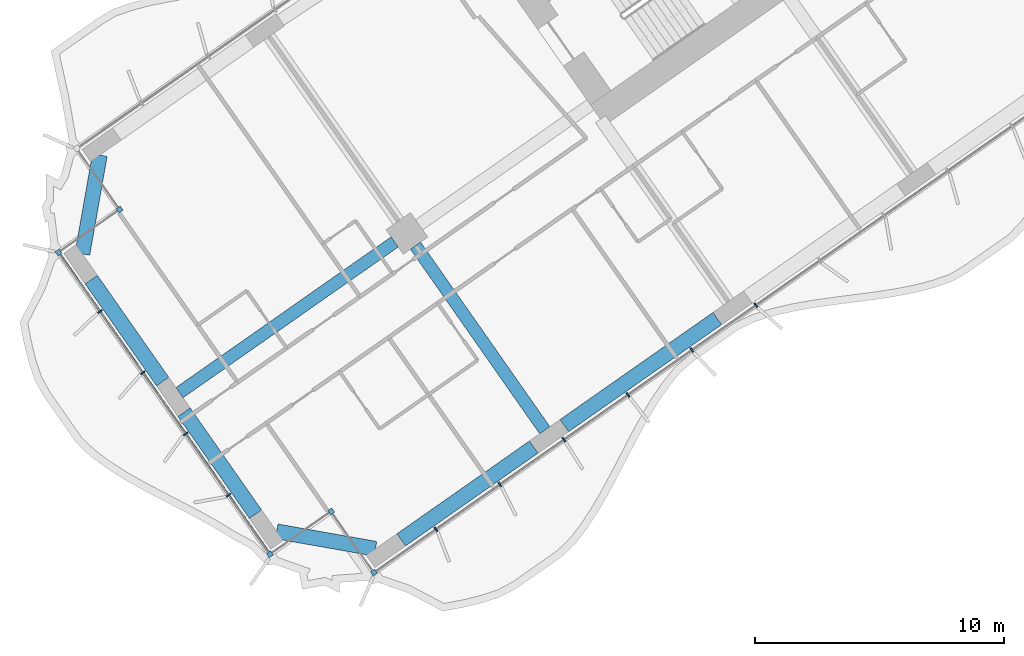
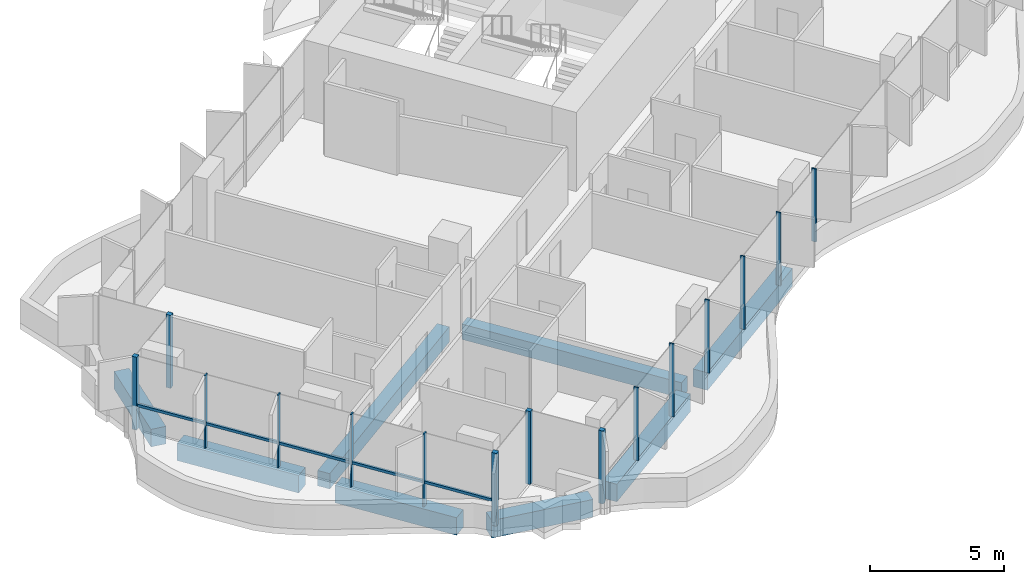
# One storey, part 2 of 24: 16 members, 8 beams, 1 element without a shape of its own.
"""IFC4 building model written with IfcOpenShell, lengths in metres."""

import ifcopenshell
import ifcopenshell.guid

model = None  # the IFC model being written
_history = None  # IfcOwnerHistory: only IFC2X3 demands one
_inside = {}  # id of a spatial element -> (the spatial element, [elements in it])
_under = {}  # id of a project, library or spatial element -> (it, [spatial elements below it])
_declared = {}  # id of a project -> (the project, [libraries it declares])
_typed = {}  # id of a type object -> (the type object, [elements of that type])
_made_of = {}  # id of a material, layer set ... -> (it, [elements and type objects made of it])


def new_model(schema):
    """Start an empty IFC model of exactly this schema.

    Asked for "IFC4X3", IfcOpenShell would pick the latest addendum, in which some entities
    have other attributes; the version numbers below select the first issue.
    IFC2X3 requires an IfcOwnerHistory on every rooted entity: one is made here for all.
    """
    global model, _history
    if schema == "IFC4X3":
        model = ifcopenshell.file(schema_version=(4, 3, 0, 0))
    else:
        model = ifcopenshell.file(schema=schema)
    _inside.clear()
    _under.clear()
    _declared.clear()
    _typed.clear()
    _made_of.clear()
    _history = None
    if model.schema == "IFC2X3":
        org = make("IfcOrganization", Name="unknown")
        user = make(
            "IfcPersonAndOrganization",
            ThePerson=make("IfcPerson", FamilyName="unknown"),
            TheOrganization=org,
        )
        app = make(
            "IfcApplication",
            ApplicationDeveloper=org,
            Version="unknown",
            ApplicationFullName="unknown",
            ApplicationIdentifier="unknown",
        )
        _history = make(
            "IfcOwnerHistory",
            OwningUser=user,
            OwningApplication=app,
            ChangeAction="ADDED",
            CreationDate=0,
        )
    return model


def make(cls, **values):
    """One entity of the class cls with the attributes given. An attribute that is None is left unset."""
    return model.create_entity(
        cls, **{name: value for name, value in values.items() if value is not None}
    )


def rooted(cls, **values):
    """An entity with a GlobalId (a new one), such as an element, a storey or a relation."""
    return make(cls, GlobalId=ifcopenshell.guid.new(), OwnerHistory=_history, **values)


def si_unit(unit_type, name, prefix=None):
    """IfcSIUnit, for example si_unit("LENGTHUNIT", "METRE", prefix="MILLI")."""
    return make("IfcSIUnit", UnitType=unit_type, Prefix=prefix, Name=name)


def assignment(units):
    """IfcUnitAssignment: the units of a project."""
    return None if units is None else make("IfcUnitAssignment", Units=units)


def point(xyz):
    """IfcCartesianPoint."""
    return None if xyz is None else make("IfcCartesianPoint", Coordinates=xyz)


def direction(xyz):
    """IfcDirection."""
    return None if xyz is None else make("IfcDirection", DirectionRatios=xyz)


def frame(location, z_axis=None, x_axis=None):
    """IfcAxis2Placement3D, a coordinate frame: its origin and axes. An axis left out is left unset."""
    return make(
        "IfcAxis2Placement3D",
        Location=point(location),
        Axis=direction(z_axis),
        RefDirection=direction(x_axis),
    )


def frame_2d(location, x_axis=None):
    """IfcAxis2Placement2D, a coordinate frame in the plane: its origin and x axis."""
    return make(
        "IfcAxis2Placement2D", Location=point(location), RefDirection=direction(x_axis)
    )


def origin():
    """The frame at (0, 0, 0) with its axes left unset."""
    return frame((0.0, 0.0, 0.0))


def origin_2d():
    """The frame at (0, 0) in the plane with its x axis left unset."""
    return frame_2d((0.0, 0.0))


def place(relative_to, where):
    """IfcLocalPlacement: puts the frame where relative to a parent placement (None: the world)."""
    return make(
        "IfcLocalPlacement", PlacementRelTo=relative_to, RelativePlacement=where
    )


def context(
    kind, dimensions, precision=None, world=None, true_north=None, identifier=None
):
    """IfcGeometricRepresentationContext, for example the 3D "Model" context."""
    return make(
        "IfcGeometricRepresentationContext",
        ContextIdentifier=identifier,
        ContextType=kind,
        CoordinateSpaceDimension=dimensions,
        Precision=precision,
        WorldCoordinateSystem=world,
        TrueNorth=true_north,
    )


def subcontext(parent, identifier, kind, view, scale=None):
    """IfcGeometricRepresentationSubContext, for example "Body" below "Model"."""
    return make(
        "IfcGeometricRepresentationSubContext",
        ContextIdentifier=identifier,
        ContextType=kind,
        ParentContext=parent,
        TargetScale=scale,
        TargetView=view,
    )


def project(units=None, contexts=None):
    """IfcProject with its units and contexts."""
    return rooted(
        "IfcProject",
        Name="project",
        RepresentationContexts=contexts,
        UnitsInContext=assignment(units),
    )


def spatial(cls, under=None, at=None, **own):
    """A site, building, storey or space (cls), placed at a placement, below another one or the project."""
    s = rooted(cls, ObjectPlacement=at, **own)
    if under is not None:
        _under.setdefault(under.id(), (under, []))[1].append(s)
    return s


def profile(cls, at=None, kind="AREA", **sizes):
    """A parametric profile (cls). Its sizes go by their IFC names, for example OverallWidth=200.0."""
    return make(cls, ProfileType=kind, Position=at, **sizes)


def rectangle(**sizes):
    """IfcRectangleProfileDef."""
    return profile("IfcRectangleProfileDef", **sizes)


def extrude(swept, where, along, depth):
    """IfcExtrudedAreaSolid: the profile swept, set in the frame where, extruded along a direction by depth."""
    return make(
        "IfcExtrudedAreaSolid",
        SweptArea=swept,
        Position=where,
        ExtrudedDirection=direction(along),
        Depth=depth,
    )


def shape(context_of_items, identifier, shape_type, items):
    """IfcShapeRepresentation: the items that make up one representation, for example the "Body"."""
    return make(
        "IfcShapeRepresentation",
        ContextOfItems=context_of_items,
        RepresentationIdentifier=identifier,
        RepresentationType=shape_type,
        Items=items,
    )


def material(Name=None, Category=None):
    """IfcMaterial."""
    return make("IfcMaterial", Name=Name, Category=Category)


def material_profile(
    of_material, cross_section, Name=None, Category=None, Priority=None
):
    """IfcMaterialProfile: a cross section and its material."""
    return make(
        "IfcMaterialProfile",
        Name=Name,
        Material=of_material,
        Profile=cross_section,
        Priority=Priority,
        Category=Category,
    )


def profile_set(profiles, Name=None, composite=None):
    """IfcMaterialProfileSet."""
    return make(
        "IfcMaterialProfileSet",
        Name=Name,
        MaterialProfiles=profiles,
        CompositeProfile=composite,
    )


def made_of(thing, what):
    """Note that an element or type object is made of a material, layer set ...; save() writes the relation."""
    if what is not None:
        _made_of.setdefault(what.id(), (what, []))[1].append(thing)
    return thing


def type_object(cls, material=None, **own):
    """A type object (cls), such as IfcWallType, which elements share."""
    return made_of(rooted(cls, **own), material)


def element(
    cls,
    number,
    at=None,
    inside=None,
    cuts=None,
    type_object=None,
    material=None,
    context=None,
    identifier="Body",
    shape_type=None,
    held_by="IfcProductDefinitionShape",
    body=None,
    shapes=None,
    **own,
):
    """One element of the class cls, such as IfcWall. Its Tag is "e" and its number.

    at: its placement. inside: the storey or other place that contains it. cuts: it is an
    opening in that element (IfcRelVoidsElement). A single representation is given by context,
    identifier, shape_type and body (its items); several are given by shapes. held_by: the class
    of the entity that holds the representations. save() writes the other relations.
    """
    e = rooted(cls, Tag="e%d" % number, ObjectPlacement=at, **own)
    if body is not None:
        shapes = [shape(context, identifier, shape_type, body)]
    if shapes is not None:
        e.Representation = make(held_by, Representations=shapes)
    if inside is not None:
        _inside.setdefault(inside.id(), (inside, []))[1].append(e)
    if cuts is not None:
        rooted(
            "IfcRelVoidsElement", RelatingBuildingElement=cuts, RelatedOpeningElement=e
        )
    if type_object is not None:
        _typed.setdefault(type_object.id(), (type_object, []))[1].append(e)
    return made_of(e, material)


def aggregate(whole, parts):
    """IfcRelAggregates: a whole, such as a stair, and the parts it consists of."""
    return rooted("IfcRelAggregates", RelatingObject=whole, RelatedObjects=parts)


def save(model, path):
    """Write the relations noted so far, then the file.

    IfcRelAggregates (storeys below a building ...), IfcRelContainedInSpatialStructure (elements
    in a storey), IfcRelDefinesByType, IfcRelAssociatesMaterial and IfcRelDeclares: one each for
    every whole, place, type object, material and project.
    """
    for whole, parts in _under.values():
        aggregate(whole, parts)
    for where, things in _inside.values():
        rooted(
            "IfcRelContainedInSpatialStructure",
            RelatedElements=things,
            RelatingStructure=where,
        )
    for kind, things in _typed.values():
        rooted("IfcRelDefinesByType", RelatedObjects=things, RelatingType=kind)
    for what, things in _made_of.values():
        rooted("IfcRelAssociatesMaterial", RelatedObjects=things, RelatingMaterial=what)
    for by, libraries in _declared.values():
        rooted("IfcRelDeclares", RelatingContext=by, RelatedDefinitions=libraries)
    model.write(path)


model = new_model("IFC4")

# Units and contexts
model_context = context("Model", 3, precision=1e-05, world=origin(), true_north=direction((0.0, 1.0)))
body_context = subcontext(model_context, "Body", "Model", "MODEL_VIEW")
ifc_project = project(units=[si_unit("LENGTHUNIT", "METRE"), si_unit("AREAUNIT", "SQUARE_METRE"), si_unit("VOLUMEUNIT", "CUBIC_METRE"), si_unit("PLANEANGLEUNIT", "RADIAN"), si_unit("MASSUNIT", "GRAM", prefix="KILO")], contexts=[model_context])

# Site, building, storey
site_placement = place(None, origin())
site = spatial("IfcSite", under=ifc_project, at=site_placement, CompositionType="ELEMENT")
building_placement = place(site_placement, origin())
building = spatial("IfcBuilding", under=site, at=building_placement, Name="Tel Ilan Convention Tower", CompositionType="ELEMENT")
storey_placement = place(building_placement, frame((0.0, 0.0, 68.89990234375)))
storey = spatial("IfcBuildingStorey", under=building, at=storey_placement, Name="L12", CompositionType="ELEMENT", Elevation=68.89990234375)

# Beams
ifc_material_1 = material(Name="Concrete C40/50", Category="concrete")
ifc_material_profile_1 = material_profile(ifc_material_1, rectangle(XDim=0.5, YDim=0.699951171875, at=origin_2d()), Name="RC 500x700")
ifc_profile_set_1 = profile_set([ifc_material_profile_1], Name="Concrete C40/50")
beam_type_1 = type_object("IfcBeamType", Name="Beam RC 500x700 Concrete C40/50", PredefinedType="BEAM", material=ifc_profile_set_1)
beam_1_placement = place(storey_placement, frame((-29.98095703125, -20.992919921875, -0.6298828125), z_axis=(-0.819151461915, -0.573577268067, 0.0), x_axis=(0.573577268067, -0.819151461915, 0.0)))
element("IfcBeam", 1, at=beam_1_placement, inside=storey, type_object=beam_type_1, Name="L12 beam W-W-M4-end", PredefinedType="BEAM", context=body_context, shape_type="SweptSolid", body=[
    extrude(rectangle(XDim=0.5, YDim=0.699951171875, at=origin_2d()), origin(), (0.0, 0.0, 1.0), 10.550048828125),
])
beam_2_placement = place(storey_placement, frame((-29.145263671875, -21.14013671875, -0.6298828125), z_axis=(0.573549245583, -0.819171082798, 0.0), x_axis=(0.819171082798, 0.573549245583, 0.0)))
element("IfcBeam", 2, at=beam_2_placement, inside=storey, type_object=beam_type_1, Name="L12 beam W-W-M4-W-F4", PredefinedType="BEAM", context=body_context, shape_type="SweptSolid", body=[
    extrude(rectangle(XDim=0.5, YDim=0.699951171875, at=origin_2d()), origin(), (0.0, 0.0, 1.0), 9.050048828125),
])
ifc_material_2 = material(Name="Concrete C40/50", Category="concrete")
ifc_material_profile_2 = material_profile(ifc_material_2, rectangle(XDim=0.60009765625, YDim=0.800048828125, at=origin_2d()), Name="RC 600x800")
ifc_profile_set_2 = profile_set([ifc_material_profile_2], Name="Concrete C40/50")
beam_type_2 = type_object("IfcBeamType", Name="Beam RC 600x800 Concrete C40/50", PredefinedType="BEAM", material=ifc_profile_set_2)
beam_3_placement = place(storey_placement, frame((-17.0244140625, -24.0673828125, -0.679931640625), z_axis=(-0.81915238829, -0.573575945067, 0.0), x_axis=(0.573575945067, -0.81915238829, 0.0)))
element("IfcBeam", 3, at=beam_3_placement, inside=storey, type_object=beam_type_2, Name="L12 beam W-W-F3-W-F4", PredefinedType="BEAM", context=body_context, shape_type="SweptSolid", body=[
    extrude(rectangle(XDim=0.60009765625, YDim=0.800048828125, at=origin_2d()), origin(), (0.0, 0.0, 1.0), 7.5),
])
beam_4_placement = place(storey_placement, frame((-24.396728515625, -29.2294921875, -0.679931640625), z_axis=(-0.819148977158, -0.573580816643, 0.0), x_axis=(0.573580816643, -0.819148977158, 0.0)))
element("IfcBeam", 4, at=beam_4_placement, inside=storey, type_object=beam_type_2, Name="L12 beam W-W-F4-W-FC", PredefinedType="BEAM", context=body_context, shape_type="SweptSolid", body=[
    extrude(rectangle(XDim=0.60009765625, YDim=0.800048828125, at=origin_2d()), origin(), (0.0, 0.0, 1.0), 6.5),
])
beam_5_placement = place(storey_placement, frame((-30.75341796875, -33.314208984375, -0.679931640625), z_axis=(-0.984815252405, 0.173605641124, 0.0), x_axis=(-0.173605641124, -0.984815252405, 0.0)))
element("IfcBeam", 5, at=beam_5_placement, inside=storey, type_object=beam_type_2, Name="L12 beam W-W-FC-W-E1", PredefinedType="BEAM", context=body_context, shape_type="SweptSolid", body=[
    extrude(rectangle(XDim=0.60009765625, YDim=0.800048828125, at=origin_2d()), origin(), (0.0, 0.0, 1.0), 4.030517578125),
])
for number, where, z_axis, x_axis, name in (
    (6, (-35.57080078125, -31.92626953125, -0.679931640625), (-0.573586866468, 0.819144740944, 0.0), (-0.819144740944, -0.573586866468, 0.0), "L12 beam W-W-E1-W-E2"),
    (7, (-39.298828125, -26.601806640625, -0.679931640625), (-0.573586866468, 0.819144740944, 0.0), (-0.819144740944, -0.573586866468, 0.0), "L12 beam W-W-E2-W-E3"),
):
    element("IfcBeam", number, at=place(storey_placement, frame(where, z_axis=z_axis, x_axis=x_axis)), inside=storey, type_object=beam_type_2, Name=name, PredefinedType="BEAM", context=body_context, shape_type="SweptSolid", body=[
        extrude(rectangle(XDim=0.60009765625, YDim=0.800048828125, at=origin_2d()), origin(), (0.0, 0.0, 1.0), 5.0),
    ])
beam_6_placement = place(storey_placement, frame((-42.523193359375, -21.473876953125, -0.679931640625), z_axis=(0.173605641124, 0.984815252405, 0.0), x_axis=(-0.984815252405, 0.173605641124, 0.0)))
element("IfcBeam", 8, at=beam_6_placement, inside=storey, type_object=beam_type_2, Name="L12 beam W-W-E3-W-BC", PredefinedType="BEAM", context=body_context, shape_type="SweptSolid", body=[
    extrude(rectangle(XDim=0.60009765625, YDim=0.800048828125, at=origin_2d()), origin(), (0.0, 0.0, 1.0), 4.030517578125),
])

# Curtain wall, members
ifc_material_3 = material(Name="Aluminium, bronze anodised", Category="aluminium")
curtain_wall_type = type_object("IfcCurtainWallType", Name="CW1 UNITISED CURTAIN WALL, HOTEL TINTED GLASS", PredefinedType="NOTDEFINED", material=ifc_material_3)
curtain_wall_placement = place(storey_placement, origin())
curtain_wall = element("IfcCurtainWall", 9, at=curtain_wall_placement, inside=storey, type_object=curtain_wall_type, Name="Curtain wall CW1-12.02", PredefinedType="NOTDEFINED")
ifc_material_4 = material(Name="Aluminium, bronze anodised", Category="aluminium")
ifc_material_profile_3 = material_profile(ifc_material_4, rectangle(XDim=0.199951171875, YDim=0.199951171875, at=origin_2d()), Name="CW CORNER MULLION 200x200")
ifc_profile_set_3 = profile_set([ifc_material_profile_3], Name="Aluminium, bronze anodised")
member_type_1 = type_object("IfcMemberType", Name="CW CORNER MULLION 200x200", PredefinedType="MULLION", material=ifc_profile_set_3)
member_1_placement = place(storey_placement, frame((-41.0244140625, -19.69189453125, 0.0), z_axis=(0.0, 0.0, 1.0), x_axis=(0.573576436351, -0.819152044289, 0.0)))
member_1 = element("IfcMember", 10, at=member_1_placement, type_object=member_type_1, Name="Corner mullion", PredefinedType="MULLION", context=body_context, shape_type="SweptSolid", body=[
    extrude(rectangle(XDim=0.199951171875, YDim=0.199951171875, at=origin_2d()), origin(), (0.0, 0.0, 1.0), 3.320068359375),
])
member_2_placement = place(storey_placement, frame((-43.48193359375, -21.41259765625, 0.0), z_axis=(0.0, 0.0, 1.0), x_axis=(-0.819152044289, -0.573576436351, 0.0)))
member_2 = element("IfcMember", 11, at=member_2_placement, type_object=member_type_1, Name="Corner mullion", PredefinedType="MULLION", context=body_context, shape_type="SweptSolid", body=[
    extrude(rectangle(XDim=0.199951171875, YDim=0.199951171875, at=origin_2d()), origin(), (0.0, 0.0, 1.0), 3.320068359375),
])
member_3_placement = place(storey_placement, frame((-34.992919921875, -33.5361328125, 0.0), z_axis=(0.0, 0.0, 1.0), x_axis=(0.573576436351, -0.819152044289, 0.0)))
member_3 = element("IfcMember", 12, at=member_3_placement, type_object=member_type_1, Name="Corner mullion", PredefinedType="MULLION", context=body_context, shape_type="SweptSolid", body=[
    extrude(rectangle(XDim=0.199951171875, YDim=0.199951171875, at=origin_2d()), origin(), (0.0, 0.0, 1.0), 3.320068359375),
])
member_4_placement = place(storey_placement, frame((-32.535400390625, -31.815185546875, 0.0), z_axis=(0.0, 0.0, 1.0), x_axis=(0.819152044289, 0.573576436351, 0.0)))
member_4 = element("IfcMember", 13, at=member_4_placement, type_object=member_type_1, Name="Corner mullion", PredefinedType="MULLION", context=body_context, shape_type="SweptSolid", body=[
    extrude(rectangle(XDim=0.199951171875, YDim=0.199951171875, at=origin_2d()), origin(), (0.0, 0.0, 1.0), 3.320068359375),
])
member_5_placement = place(storey_placement, frame((-30.814697265625, -34.272705078125, 0.0), z_axis=(0.0, 0.0, 1.0), x_axis=(0.573576436351, -0.819152044289, 0.0)))
member_5 = element("IfcMember", 14, at=member_5_placement, type_object=member_type_1, Name="Corner mullion", PredefinedType="MULLION", context=body_context, shape_type="SweptSolid", body=[
    extrude(rectangle(XDim=0.199951171875, YDim=0.199951171875, at=origin_2d()), origin(), (0.0, 0.0, 1.0), 3.320068359375),
])
ifc_material_5 = material(Name="Aluminium, bronze anodised", Category="aluminium")
ifc_material_profile_4 = material_profile(ifc_material_5, rectangle(XDim=0.06005859375, YDim=0.199951171875, at=origin_2d()), Name="CW MULLION 60x200")
ifc_profile_set_4 = profile_set([ifc_material_profile_4], Name="Aluminium, bronze anodised")
member_type_2 = type_object("IfcMemberType", Name="CW MULLION 60x200", PredefinedType="MULLION", material=ifc_profile_set_4)
member_6_placement = place(storey_placement, frame((-41.818359375, -23.7880859375, 0.0), z_axis=(0.0, 0.0, 1.0), x_axis=(0.573576436351, -0.819152044289, 0.0)))
member_6 = element("IfcMember", 15, at=member_6_placement, type_object=member_type_2, Name="Mullion", PredefinedType="MULLION", context=body_context, shape_type="SweptSolid", body=[
    extrude(rectangle(XDim=0.06005859375, YDim=0.199951171875, at=origin_2d()), origin(), (0.0, 0.0, 1.0), 3.320068359375),
])
member_7_placement = place(storey_placement, frame((-40.09765625, -26.24560546875, 0.0), z_axis=(0.0, 0.0, 1.0), x_axis=(0.573576436351, -0.819152044289, 0.0)))
member_7 = element("IfcMember", 16, at=member_7_placement, type_object=member_type_2, Name="Mullion", PredefinedType="MULLION", context=body_context, shape_type="SweptSolid", body=[
    extrude(rectangle(XDim=0.06005859375, YDim=0.199951171875, at=origin_2d()), origin(), (0.0, 0.0, 1.0), 3.320068359375),
])
member_8_placement = place(storey_placement, frame((-38.376953125, -28.703125, 0.0), z_axis=(0.0, 0.0, 1.0), x_axis=(0.573576436351, -0.819152044289, 0.0)))
member_8 = element("IfcMember", 17, at=member_8_placement, type_object=member_type_2, Name="Mullion", PredefinedType="MULLION", context=body_context, shape_type="SweptSolid", body=[
    extrude(rectangle(XDim=0.06005859375, YDim=0.199951171875, at=origin_2d()), origin(), (0.0, 0.0, 1.0), 3.320068359375),
])
member_9_placement = place(storey_placement, frame((-36.65625, -31.160400390625, 0.0), z_axis=(0.0, 0.0, 1.0), x_axis=(0.573576436351, -0.819152044289, 0.0)))
member_9 = element("IfcMember", 18, at=member_9_placement, type_object=member_type_2, Name="Mullion", PredefinedType="MULLION", context=body_context, shape_type="SweptSolid", body=[
    extrude(rectangle(XDim=0.06005859375, YDim=0.199951171875, at=origin_2d()), origin(), (0.0, 0.0, 1.0), 3.320068359375),
])
member_10_placement = place(storey_placement, frame((-28.32666015625, -32.530517578125, 0.0), z_axis=(0.0, 0.0, 1.0), x_axis=(0.819152044289, 0.573576436351, 0.0)))
member_10 = element("IfcMember", 19, at=member_10_placement, type_object=member_type_2, Name="Mullion", PredefinedType="MULLION", context=body_context, shape_type="SweptSolid", body=[
    extrude(rectangle(XDim=0.06005859375, YDim=0.199951171875, at=origin_2d()), origin(), (0.0, 0.0, 1.0), 3.320068359375),
])
member_11_placement = place(storey_placement, frame((-25.7568359375, -30.731201171875, 0.0), z_axis=(0.0, 0.0, 1.0), x_axis=(0.819152044289, 0.573576436351, 0.0)))
member_11 = element("IfcMember", 20, at=member_11_placement, type_object=member_type_2, Name="Mullion", PredefinedType="MULLION", context=body_context, shape_type="SweptSolid", body=[
    extrude(rectangle(XDim=0.06005859375, YDim=0.199951171875, at=origin_2d()), origin(), (0.0, 0.0, 1.0), 3.320068359375),
])
member_12_placement = place(storey_placement, frame((-23.186767578125, -28.931640625, 0.0), z_axis=(0.0, 0.0, 1.0), x_axis=(0.819152044289, 0.573576436351, 0.0)))
member_12 = element("IfcMember", 21, at=member_12_placement, type_object=member_type_2, Name="Mullion", PredefinedType="MULLION", context=body_context, shape_type="SweptSolid", body=[
    extrude(rectangle(XDim=0.06005859375, YDim=0.199951171875, at=origin_2d()), origin(), (0.0, 0.0, 1.0), 3.320068359375),
])
member_13_placement = place(storey_placement, frame((-20.616943359375, -27.132080078125, 0.0), z_axis=(0.0, 0.0, 1.0), x_axis=(0.819152044289, 0.573576436351, 0.0)))
member_13 = element("IfcMember", 22, at=member_13_placement, type_object=member_type_2, Name="Mullion", PredefinedType="MULLION", context=body_context, shape_type="SweptSolid", body=[
    extrude(rectangle(XDim=0.06005859375, YDim=0.199951171875, at=origin_2d()), origin(), (0.0, 0.0, 1.0), 3.320068359375),
])
member_14_placement = place(storey_placement, frame((-18.046875, -25.332763671875, 0.0), z_axis=(0.0, 0.0, 1.0), x_axis=(0.819152044289, 0.573576436351, 0.0)))
member_14 = element("IfcMember", 23, at=member_14_placement, type_object=member_type_2, Name="Mullion", PredefinedType="MULLION", context=body_context, shape_type="SweptSolid", body=[
    extrude(rectangle(XDim=0.06005859375, YDim=0.199951171875, at=origin_2d()), origin(), (0.0, 0.0, 1.0), 3.320068359375),
])
member_15_placement = place(storey_placement, frame((-15.47705078125, -23.533203125, 0.0), z_axis=(0.0, 0.0, 1.0), x_axis=(0.819152044289, 0.573576436351, 0.0)))
member_15 = element("IfcMember", 24, at=member_15_placement, type_object=member_type_2, Name="Mullion", PredefinedType="MULLION", context=body_context, shape_type="SweptSolid", body=[
    extrude(rectangle(XDim=0.06005859375, YDim=0.199951171875, at=origin_2d()), origin(), (0.0, 0.0, 1.0), 3.320068359375),
])
ifc_material_6 = material(Name="Aluminium, bronze anodised", Category="aluminium")
ifc_material_profile_5 = material_profile(ifc_material_6, rectangle(XDim=0.10009765625, YDim=0.1201171875, at=origin_2d()), Name="CW TRANSOM 100x120")
ifc_profile_set_5 = profile_set([ifc_material_profile_5], Name="Aluminium, bronze anodised")
member_type_3 = type_object("IfcMemberType", Name="CW TRANSOM 100x120", PredefinedType="USERDEFINED", material=ifc_profile_set_5)
member_16_placement = place(storey_placement, frame((-43.424560546875, -21.494384765625, 1.10009765625), z_axis=(0.573575688231, -0.819152568128, 0.0), x_axis=(0.819152568128, 0.573575688231, 0.0)))
member_16 = element("IfcMember", 25, at=member_16_placement, type_object=member_type_3, Name="Transom", ObjectType="TRANSOM", PredefinedType="USERDEFINED", context=body_context, shape_type="SweptSolid", body=[
    extrude(rectangle(XDim=0.10009765625, YDim=0.1201171875, at=origin_2d()), origin(), (0.0, 0.0, 1.0), 14.60009765625),
])
aggregate(curtain_wall, [member_1, member_2, member_6, member_7, member_8, member_9, member_3, member_16, member_4, member_5, member_10, member_11, member_12, member_13, member_14, member_15])

save(model, "model.ifc")
